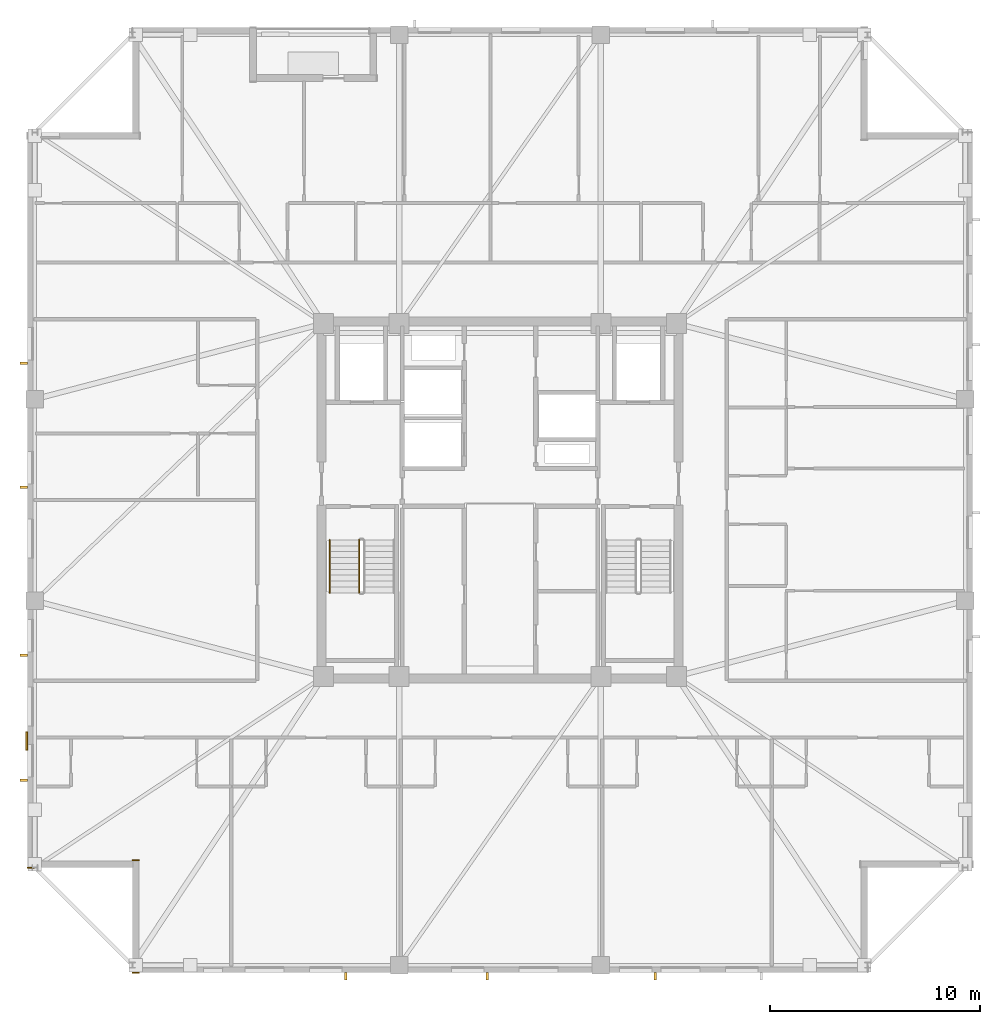
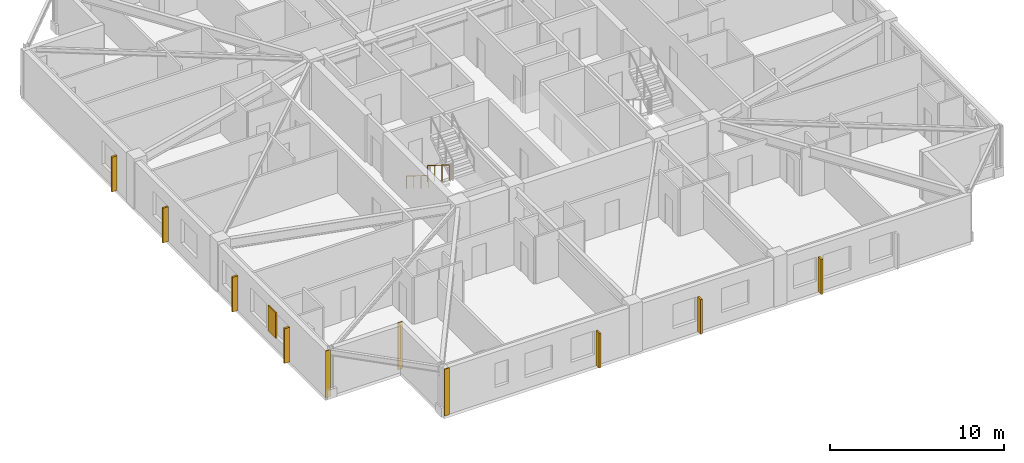
# One storey, part 13 of 17: 8 shading devices, 3 coverings, 2 railings.
"""IFC4 building model written with IfcOpenShell, lengths in metres."""

from ifc_helpers import new_model, si_unit, direction, frame, frame_2d, origin, origin_2d, place, context, subcontext, project, spatial, rectangle, circle, extrude, material, layer, layer_set, type_object, element, save


model = new_model("IFC4")

# Units and contexts
model_context = context("Model", 3, precision=1e-05, world=origin(), true_north=direction((0.0, 1.0)))
body_context = subcontext(model_context, "Body", "Model", "MODEL_VIEW")
ifc_project = project(units=[si_unit("LENGTHUNIT", "METRE"), si_unit("AREAUNIT", "SQUARE_METRE"), si_unit("VOLUMEUNIT", "CUBIC_METRE"), si_unit("PLANEANGLEUNIT", "RADIAN"), si_unit("MASSUNIT", "GRAM", prefix="KILO")], contexts=[model_context])

# Site, building, storey
site_placement = place(None, origin())
site = spatial("IfcSite", under=ifc_project, at=site_placement, CompositionType="ELEMENT")
building_placement = place(site_placement, origin())
building = spatial("IfcBuilding", under=site, at=building_placement, Name="Cairnveth Concourse Tower", CompositionType="ELEMENT")
storey_placement = place(building_placement, frame((0.0, 0.0, 220.0)))
storey = spatial("IfcBuildingStorey", under=building, at=storey_placement, Name="L60", CompositionType="ELEMENT", Elevation=220.0)

# Coverings
ifc_material_1 = material(Name="Dressed Melbourne Bluestone Cladding", Category="masonry")
ifc_layer = layer(ifc_material_1, 0.050048828125)
ifc_layer_set = layer_set([ifc_layer], Name="Dressed Melbourne Bluestone Cladding")
covering_type = type_object("IfcCoveringType", Name="DRESSED BLUESTONE PLINTH CLADDING 50", PredefinedType="CLADDING", material=ifc_layer_set)
for number, where, z_axis, x_axis, name in (
    (1, (34.820068359375, 16.47998046875, 0.0), (0.0, 0.0, 1.0), (-1.0, 0.0, 0.0), "Melbourne Bluestone Corner Quoin L60-902"),
    (2, (34.820068359375, 21.840087890625, 0.0), (0.0, 0.0, 1.0), (-1.0, 0.0, 0.0), "Melbourne Bluestone Corner Quoin L60-903"),
    (3, (29.820068359375, 21.47998046875, 0.0), (0.0, 0.0, 1.0), (-1.0, 0.0, 0.0), "Melbourne Bluestone Corner Quoin L60-904"),
):
    element("IfcCovering", number, at=place(storey_placement, frame(where, z_axis=z_axis, x_axis=x_axis)), inside=storey, type_object=covering_type, Name=name, PredefinedType="CLADDING", context=body_context, shape_type="SweptSolid", body=[
        extrude(rectangle(XDim=0.320068359375, YDim=0.050048828125, at=frame_2d((0.16015625, 0.0))), origin(), (0.0, 0.0, 1.0), 3.2900390625),
    ])

# Shading devices
ifc_material_2 = material(Name="Architectural Bronze Anodised Aluminium 6063-T6", Category="aluminium")
shading_device_type_1 = type_object("IfcShadingDeviceType", Name="GOTHIC BRONZE VERTICAL LANCET FIN", PredefinedType="USERDEFINED", material=ifc_material_2)
for number, where, z_axis, x_axis, name in (
    (4, (59.39697265625, 16.324951171875, 0.030029296875), (0.0, 0.0, 1.0), (1.0, 0.0, 0.0), "Gothic Bronze Vertical Fin L60-6-3"),
    (5, (51.396484375, 16.324951171875, 0.030029296875), (0.0, 0.0, 1.0), (1.0, 0.0, 0.0), "Gothic Bronze Vertical Fin L60-6-5"),
    (6, (44.64599609375, 16.324951171875, 0.030029296875), (0.0, 0.0, 1.0), (1.0, 0.0, 0.0), "Gothic Bronze Vertical Fin L60-6-7"),
    (7, (29.324951171875, 25.652587890625, 0.030029296875), (0.0, 0.0, 1.0), (0.0, 1.0, 0.0), "Gothic Bronze Vertical Fin L60-9-1"),
    (8, (29.324951171875, 31.60302734375, 0.030029296875), (0.0, 0.0, 1.0), (0.0, 1.0, 0.0), "Gothic Bronze Vertical Fin L60-9-3"),
    (9, (29.324951171875, 39.603515625, 0.030029296875), (0.0, 0.0, 1.0), (0.0, 1.0, 0.0), "Gothic Bronze Vertical Fin L60-9-5"),
    (10, (29.324951171875, 45.504150390625, 0.030029296875), (0.0, 0.0, 1.0), (0.0, 1.0, 0.0), "Gothic Bronze Vertical Fin L60-9-7"),
):
    element("IfcShadingDevice", number, at=place(storey_placement, frame(where, z_axis=z_axis, x_axis=x_axis)), inside=storey, type_object=shading_device_type_1, Name=name, ObjectType="VERTICAL FIN", PredefinedType="USERDEFINED", context=body_context, shape_type="SweptSolid", body=[
        extrude(rectangle(XDim=0.1201171875, YDim=0.360107421875, at=origin_2d()), origin(), (0.0, 0.0, 1.0), 2.43798828125),
    ])

# Railings
ifc_material_3 = material(Name="Steel Grade 350", Category="steel")
railing_type_1 = type_object("IfcRailingType", Name="STAIR GUARDRAIL 1150", PredefinedType="GUARDRAIL", material=ifc_material_3)
railing_1_placement = place(storey_placement, frame((45.2900390625, 37.10009765625, 0.175048828125)))
element("IfcRailing", 11, at=railing_1_placement, inside=storey, type_object=railing_type_1, Name="L60 ST-1 stair guard 1", PredefinedType="GUARDRAIL", context=body_context, shape_type="SweptSolid", body=[
    extrude(circle(Radius=0.02392578125, at=origin_2d()), frame((0.0, 0.0, 1.1259765625), z_axis=(0.0, -0.848007534815, 0.529984170421), x_axis=(1.0, 0.0, 0.0)), (0.0, 0.0, 1.0), 2.9716796875),
    extrude(circle(Radius=0.02099609375, at=origin_2d()), origin(), (0.0, 0.0, 1.0), 1.101806640625),
    extrude(circle(Radius=0.02099609375, at=origin_2d()), frame((0.0, -0.840087890625, 0.52490234375)), (0.0, 0.0, 1.0), 1.101806640625),
    extrude(circle(Radius=0.02099609375, at=origin_2d()), frame((0.0, -1.679931640625, 1.050048828125)), (0.0, 0.0, 1.0), 1.101806640625),
    extrude(circle(Radius=0.02099609375, at=origin_2d()), frame((0.0, -2.52001953125, 1.574951171875)), (0.0, 0.0, 1.0), 1.101806640625),
])
railing_type_2 = type_object("IfcRailingType", Name="STAIR WALL HANDRAIL 900", PredefinedType="HANDRAIL", material=ifc_material_3)
railing_2_placement = place(storey_placement, frame((43.889892578125, 37.10009765625, 0.175048828125)))
element("IfcRailing", 12, at=railing_2_placement, inside=storey, type_object=railing_type_2, Name="L60 ST-1 stair handrail 1", PredefinedType="HANDRAIL", context=body_context, shape_type="SweptSolid", body=[
    extrude(circle(Radius=0.02392578125, at=origin_2d()), frame((0.0, 0.0, 0.8759765625), z_axis=(0.0, -0.848007534815, 0.529984170421), x_axis=(1.0, 0.0, 0.0)), (0.0, 0.0, 1.0), 2.9716796875),
    extrude(circle(Radius=0.02099609375, at=origin_2d()), origin(), (0.0, 0.0, 1.0), 0.851806640625),
    extrude(circle(Radius=0.02099609375, at=origin_2d()), frame((0.0, -0.840087890625, 0.52490234375)), (0.0, 0.0, 1.0), 0.851806640625),
    extrude(circle(Radius=0.02099609375, at=origin_2d()), frame((0.0, -1.679931640625, 1.050048828125)), (0.0, 0.0, 1.0), 0.851806640625),
    extrude(circle(Radius=0.02099609375, at=origin_2d()), frame((0.0, -2.52001953125, 1.574951171875)), (0.0, 0.0, 1.0), 0.851806640625),
])

# Shading device
shading_device_type_2 = type_object("IfcShadingDeviceType", Name="WEST SOLAR PERFORATED SHUTTER", PredefinedType="SHUTTER", material=ifc_material_2)
shading_device_placement = place(storey_placement, frame((29.464111328125, 27.522705078125, 0.7998046875), z_axis=(0.0, 0.0, 1.0), x_axis=(1.0, 0.0, 0.0)))
element("IfcShadingDevice", 13, at=shading_device_placement, inside=storey, type_object=shading_device_type_2, Name="West Solar Shutter L60", PredefinedType="SHUTTER", context=body_context, shape_type="SweptSolid", body=[
    extrude(rectangle(XDim=0.080078125, YDim=0.89990234375, at=origin_2d()), origin(), (0.0, 0.0, 1.0), 1.800048828125),
])

save(model, "model.ifc")
